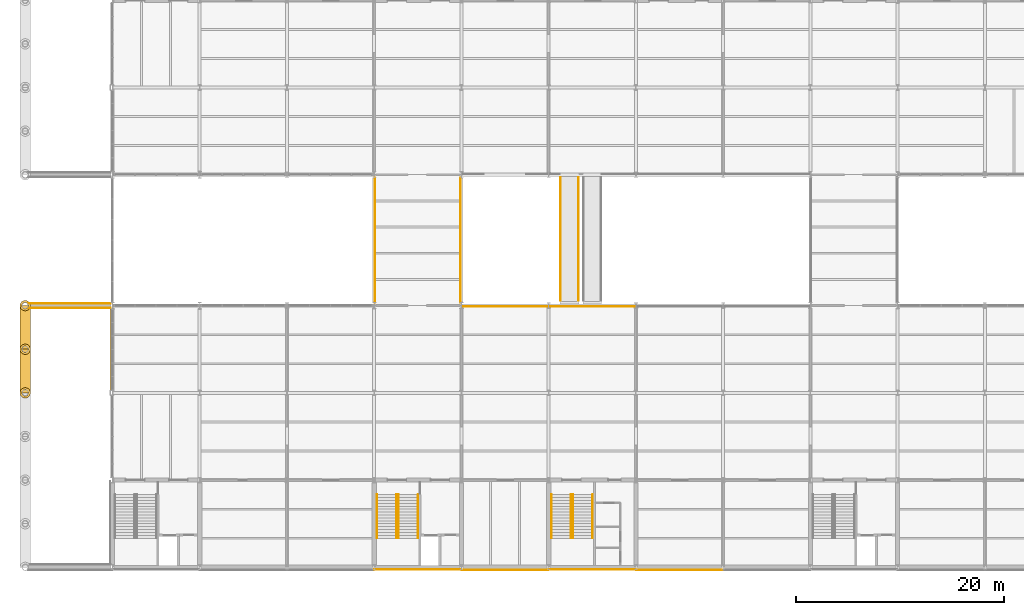
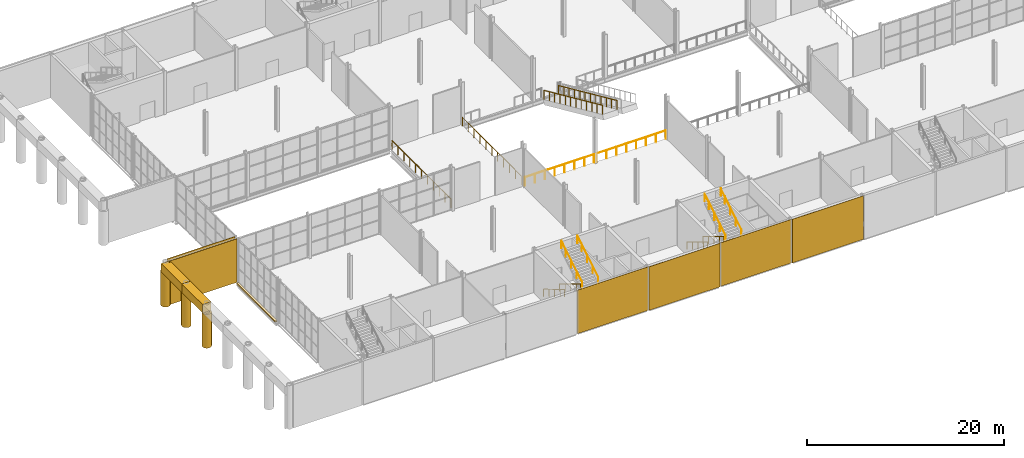
# One storey, part 49 of 64: 14 railings, 12 coverings.
"""IFC4 building model written with IfcOpenShell, lengths in metres."""

from ifc_helpers import new_model, si_unit, direction, frame, origin, origin_2d, place, context, subcontext, project, spatial, polyline, rectangle, circle, outline, extrude, material, layer, layer_set, type_object, element, save


model = new_model("IFC4")

# Units and contexts
model_context = context("Model", 3, precision=1e-05, world=origin(), true_north=direction((0.0, 1.0)))
body_context = subcontext(model_context, "Body", "Model", "MODEL_VIEW")
ifc_project = project(units=[si_unit("LENGTHUNIT", "METRE"), si_unit("AREAUNIT", "SQUARE_METRE"), si_unit("VOLUMEUNIT", "CUBIC_METRE"), si_unit("PLANEANGLEUNIT", "RADIAN"), si_unit("MASSUNIT", "GRAM", prefix="KILO")], contexts=[model_context])

# Site, building, storey
site_placement = place(None, origin())
site = spatial("IfcSite", under=ifc_project, at=site_placement, CompositionType="ELEMENT")
building_placement = place(site_placement, origin())
building = spatial("IfcBuilding", under=site, at=building_placement, Name="Galleria Vessillo Department Store", CompositionType="ELEMENT")
storey_placement = place(building_placement, frame((0.0, 0.0, 6.0)))
storey = spatial("IfcBuildingStorey", under=building, at=storey_placement, Name="L01", CompositionType="ELEMENT", Elevation=6.0)

# Railings
ifc_material_1 = material(Name="Stainless steel tube", Category="steel")
railing_type_1 = type_object("IfcRailingType", Name="Atrium edge guard 1100 mm", PredefinedType="GUARDRAIL", material=ifc_material_1)
railing_1_placement = place(storey_placement, frame((42.152587890625, 25.119873046875, 0.0)))
element("IfcRailing", 1, at=railing_1_placement, inside=storey, type_object=railing_type_1, Name="Atrium edge guard L01-01", PredefinedType="GUARDRAIL", context=body_context, shape_type="SweptSolid", body=[
    extrude(circle(Radius=0.02392578125, at=origin_2d()), frame((0.0, 0.0, 1.076171875), z_axis=(1.0, 0.0, 0.0), x_axis=(0.0, 1.0, 0.0)), (0.0, 0.0, 1.0), 8.094482421875),
    extrude(circle(Radius=0.02099609375, at=origin_2d()), origin(), (0.0, 0.0, 1.0), 1.052001953125),
    extrude(circle(Radius=0.02099609375, at=origin_2d()), frame((1.15625, 0.0, 0.0)), (0.0, 0.0, 1.0), 1.052001953125),
    extrude(circle(Radius=0.02099609375, at=origin_2d()), frame((2.312744140625, 0.0, 0.0)), (0.0, 0.0, 1.0), 1.052001953125),
    extrude(circle(Radius=0.02099609375, at=origin_2d()), frame((3.468994140625, 0.0, 0.0)), (0.0, 0.0, 1.0), 1.052001953125),
    extrude(circle(Radius=0.02099609375, at=origin_2d()), frame((4.62548828125, 0.0, 0.0)), (0.0, 0.0, 1.0), 1.052001953125),
    extrude(circle(Radius=0.02099609375, at=origin_2d()), frame((5.78173828125, 0.0, 0.0)), (0.0, 0.0, 1.0), 1.052001953125),
    extrude(circle(Radius=0.02099609375, at=origin_2d()), frame((6.938232421875, 0.0, 0.0)), (0.0, 0.0, 1.0), 1.052001953125),
    extrude(circle(Radius=0.02099609375, at=origin_2d()), frame((8.094482421875, 0.0, 0.0)), (0.0, 0.0, 1.0), 1.052001953125),
])
railing_2_placement = place(storey_placement, frame((50.552978515625, 25.119873046875, 0.0)))
element("IfcRailing", 2, at=railing_2_placement, inside=storey, type_object=railing_type_1, Name="Atrium edge guard L01-02", PredefinedType="GUARDRAIL", context=body_context, shape_type="SweptSolid", body=[
    extrude(circle(Radius=0.02392578125, at=origin_2d()), frame((0.0, 0.0, 1.076171875), z_axis=(1.0, 0.0, 0.0), x_axis=(0.0, 1.0, 0.0)), (0.0, 0.0, 1.0), 8.093994140625),
    extrude(circle(Radius=0.02099609375, at=origin_2d()), origin(), (0.0, 0.0, 1.0), 1.052001953125),
    extrude(circle(Radius=0.02099609375, at=origin_2d()), frame((1.15625, 0.0, 0.0)), (0.0, 0.0, 1.0), 1.052001953125),
    extrude(circle(Radius=0.02099609375, at=origin_2d()), frame((2.3125, 0.0, 0.0)), (0.0, 0.0, 1.0), 1.052001953125),
    extrude(circle(Radius=0.02099609375, at=origin_2d()), frame((3.46875, 0.0, 0.0)), (0.0, 0.0, 1.0), 1.052001953125),
    extrude(circle(Radius=0.02099609375, at=origin_2d()), frame((4.625244140625, 0.0, 0.0)), (0.0, 0.0, 1.0), 1.052001953125),
    extrude(circle(Radius=0.02099609375, at=origin_2d()), frame((5.781494140625, 0.0, 0.0)), (0.0, 0.0, 1.0), 1.052001953125),
    extrude(circle(Radius=0.02099609375, at=origin_2d()), frame((6.937744140625, 0.0, 0.0)), (0.0, 0.0, 1.0), 1.052001953125),
    extrude(circle(Radius=0.02099609375, at=origin_2d()), frame((8.093994140625, 0.0, 0.0)), (0.0, 0.0, 1.0), 1.052001953125),
])
for number, where, name in (
    (3, (33.68017578125, 25.510009765625, 0.0), "Atrium edge guard L01-12"),
    (4, (41.919921875, 25.510009765625, 0.0), "Atrium edge guard L01-13"),
):
    element("IfcRailing", number, at=place(storey_placement, frame(where)), inside=storey, type_object=railing_type_1, Name=name, PredefinedType="GUARDRAIL", context=body_context, shape_type="SweptSolid", body=[
        extrude(circle(Radius=0.02392578125, at=origin_2d()), frame((0.0, 0.0, 1.076171875), z_axis=(0.0, 1.0, 0.0), x_axis=(-1.0, 0.0, 0.0)), (0.0, 0.0, 1.0), 11.97998046875),
        extrude(circle(Radius=0.02099609375, at=origin_2d()), origin(), (0.0, 0.0, 1.0), 1.052001953125),
        extrude(circle(Radius=0.02099609375, at=origin_2d()), frame((0.0, 1.197998046875, 0.0)), (0.0, 0.0, 1.0), 1.052001953125),
        extrude(circle(Radius=0.02099609375, at=origin_2d()), frame((0.0, 2.39599609375, 0.0)), (0.0, 0.0, 1.0), 1.052001953125),
        extrude(circle(Radius=0.02099609375, at=origin_2d()), frame((0.0, 3.593994140625, 0.0)), (0.0, 0.0, 1.0), 1.052001953125),
        extrude(circle(Radius=0.02099609375, at=origin_2d()), frame((0.0, 4.7919921875, 0.0)), (0.0, 0.0, 1.0), 1.052001953125),
        extrude(circle(Radius=0.02099609375, at=origin_2d()), frame((0.0, 5.989990234375, 0.0)), (0.0, 0.0, 1.0), 1.052001953125),
        extrude(circle(Radius=0.02099609375, at=origin_2d()), frame((0.0, 7.18798828125, 0.0)), (0.0, 0.0, 1.0), 1.052001953125),
        extrude(circle(Radius=0.02099609375, at=origin_2d()), frame((0.0, 8.385986328125, 0.0)), (0.0, 0.0, 1.0), 1.052001953125),
        extrude(circle(Radius=0.02099609375, at=origin_2d()), frame((0.0, 9.583984375, 0.0)), (0.0, 0.0, 1.0), 1.052001953125),
        extrude(circle(Radius=0.02099609375, at=origin_2d()), frame((0.0, 10.781982421875, 0.0)), (0.0, 0.0, 1.0), 1.052001953125),
        extrude(circle(Radius=0.02099609375, at=origin_2d()), frame((0.0, 11.97998046875, 0.0)), (0.0, 0.0, 1.0), 1.052001953125),
    ])
ifc_material_2 = material(Name="Glass laminated 44.2", Category="glass")
railing_type_2 = type_object("IfcRailingType", Name="Escalator balustrade glass 1150 mm", PredefinedType="BALUSTRADE", material=ifc_material_2)
railing_3_placement = place(storey_placement, frame((51.5498046875, 37.558837890625, -0.120849609375)))
element("IfcRailing", 5, at=railing_3_placement, inside=storey, type_object=railing_type_2, Name="Escalator balustrade ES3 W", PredefinedType="BALUSTRADE", context=body_context, shape_type="SweptSolid", body=[
    extrude(circle(Radius=0.02392578125, at=origin_2d()), frame((0.0, 0.0, 1.1259765625), z_axis=(0.0, -0.911723525032, 0.410804349908), x_axis=(1.0, 0.0, 0.0)), (0.0, 0.0, 1.0), 13.0205078125),
    extrude(circle(Radius=0.02099609375, at=origin_2d()), origin(), (0.0, 0.0, 1.0), 1.101806640625),
    extrude(circle(Radius=0.02099609375, at=origin_2d()), frame((0.0, -1.0791015625, 0.486328125)), (0.0, 0.0, 1.0), 1.101806640625),
    extrude(circle(Radius=0.02099609375, at=origin_2d()), frame((0.0, -2.158447265625, 0.972412109375)), (0.0, 0.0, 1.0), 1.101806640625),
    extrude(circle(Radius=0.02099609375, at=origin_2d()), frame((0.0, -3.237548828125, 1.458740234375)), (0.0, 0.0, 1.0), 1.101806640625),
    extrude(circle(Radius=0.02099609375, at=origin_2d()), frame((0.0, -4.316650390625, 1.945068359375)), (0.0, 0.0, 1.0), 1.101806640625),
    extrude(circle(Radius=0.02099609375, at=origin_2d()), frame((0.0, -5.39599609375, 2.431396484375)), (0.0, 0.0, 1.0), 1.101806640625),
    extrude(circle(Radius=0.02099609375, at=origin_2d()), frame((0.0, -6.47509765625, 2.91748046875)), (0.0, 0.0, 1.0), 1.101806640625),
    extrude(circle(Radius=0.02099609375, at=origin_2d()), frame((0.0, -7.554443359375, 3.40380859375)), (0.0, 0.0, 1.0), 1.101806640625),
    extrude(circle(Radius=0.02099609375, at=origin_2d()), frame((0.0, -8.633544921875, 3.89013671875)), (0.0, 0.0, 1.0), 1.101806640625),
    extrude(circle(Radius=0.02099609375, at=origin_2d()), frame((0.0, -9.712646484375, 4.37646484375)), (0.0, 0.0, 1.0), 1.101806640625),
    extrude(circle(Radius=0.02099609375, at=origin_2d()), frame((0.0, -10.7919921875, 4.862548828125)), (0.0, 0.0, 1.0), 1.101806640625),
    extrude(circle(Radius=0.02099609375, at=origin_2d()), frame((0.0, -11.87109375, 5.348876953125)), (0.0, 0.0, 1.0), 1.101806640625),
])
railing_4_placement = place(storey_placement, frame((53.25, 37.558837890625, -0.120849609375)))
element("IfcRailing", 6, at=railing_4_placement, inside=storey, type_object=railing_type_2, Name="Escalator balustrade ES3 E", PredefinedType="BALUSTRADE", context=body_context, shape_type="SweptSolid", body=[
    extrude(circle(Radius=0.02392578125, at=origin_2d()), frame((0.0, 0.0, 1.1259765625), z_axis=(0.0, -0.911723525032, 0.410804349908), x_axis=(1.0, 0.0, 0.0)), (0.0, 0.0, 1.0), 13.0205078125),
    extrude(circle(Radius=0.02099609375, at=origin_2d()), origin(), (0.0, 0.0, 1.0), 1.101806640625),
    extrude(circle(Radius=0.02099609375, at=origin_2d()), frame((0.0, -1.0791015625, 0.486328125)), (0.0, 0.0, 1.0), 1.101806640625),
    extrude(circle(Radius=0.02099609375, at=origin_2d()), frame((0.0, -2.158447265625, 0.972412109375)), (0.0, 0.0, 1.0), 1.101806640625),
    extrude(circle(Radius=0.02099609375, at=origin_2d()), frame((0.0, -3.237548828125, 1.458740234375)), (0.0, 0.0, 1.0), 1.101806640625),
    extrude(circle(Radius=0.02099609375, at=origin_2d()), frame((0.0, -4.316650390625, 1.945068359375)), (0.0, 0.0, 1.0), 1.101806640625),
    extrude(circle(Radius=0.02099609375, at=origin_2d()), frame((0.0, -5.39599609375, 2.431396484375)), (0.0, 0.0, 1.0), 1.101806640625),
    extrude(circle(Radius=0.02099609375, at=origin_2d()), frame((0.0, -6.47509765625, 2.91748046875)), (0.0, 0.0, 1.0), 1.101806640625),
    extrude(circle(Radius=0.02099609375, at=origin_2d()), frame((0.0, -7.554443359375, 3.40380859375)), (0.0, 0.0, 1.0), 1.101806640625),
    extrude(circle(Radius=0.02099609375, at=origin_2d()), frame((0.0, -8.633544921875, 3.89013671875)), (0.0, 0.0, 1.0), 1.101806640625),
    extrude(circle(Radius=0.02099609375, at=origin_2d()), frame((0.0, -9.712646484375, 4.37646484375)), (0.0, 0.0, 1.0), 1.101806640625),
    extrude(circle(Radius=0.02099609375, at=origin_2d()), frame((0.0, -10.7919921875, 4.862548828125)), (0.0, 0.0, 1.0), 1.101806640625),
    extrude(circle(Radius=0.02099609375, at=origin_2d()), frame((0.0, -11.87109375, 5.348876953125)), (0.0, 0.0, 1.0), 1.101806640625),
])

# Coverings
ifc_material_3 = material(Name="Lime plaster (intonaco) ochre")
ifc_layer_1 = layer(ifc_material_3, 0.030029296875)
ifc_layer_set_1 = layer_set([ifc_layer_1], Name="Lime plaster (intonaco) ochre")
covering_type_1 = type_object("IfcCoveringType", Name="Lime plaster render 30 mm", PredefinedType="CLADDING", material=ifc_layer_set_1)
covering_1_placement = place(storey_placement, frame((37.800048828125, -0.215087890625, 0.0), z_axis=(0.0, 0.0, 1.0), x_axis=(1.0, 0.0, 0.0)))
element("IfcCovering", 7, at=covering_1_placement, inside=storey, type_object=covering_type_1, Name="Wall cladding S-CW-PC-SM-PARTY-L01", PredefinedType="CLADDING", context=body_context, shape_type="SweptSolid", body=[
    extrude(rectangle(XDim=8.33984375, YDim=0.030029296875, at=origin_2d()), origin(), (0.0, 0.0, 1.0), 5.39990234375),
])
for number, where, z_axis, x_axis, name in (
    (8, (46.199951171875, -0.264892578125, 0.0), (0.0, 0.0, 1.0), (1.0, 0.0, 0.0), "Wall cladding S-PS-L01-04"),
    (9, (54.599853515625, -0.215087890625, 0.0), (0.0, 0.0, 1.0), (1.0, 0.0, 0.0), "Wall cladding S-CW-PC-SC-PARTY-L01"),
    (10, (63.0, -0.264892578125, 0.0), (0.0, 0.0, 1.0), (1.0, 0.0, 0.0), "Wall cladding S-PS-L01-05"),
):
    element("IfcCovering", number, at=place(storey_placement, frame(where, z_axis=z_axis, x_axis=x_axis)), inside=storey, type_object=covering_type_1, Name=name, PredefinedType="CLADDING", context=body_context, shape_type="SweptSolid", body=[
        extrude(rectangle(XDim=8.340087890625, YDim=0.030029296875, at=origin_2d()), origin(), (0.0, 0.0, 1.0), 5.39990234375),
    ])
ifc_material_4 = material(Name="Botticino limestone ashlar", Category="masonry")
ifc_layer_2 = layer(ifc_material_4, 0.195068359375)
ifc_layer_set_2 = layer_set([ifc_layer_2], Name="Botticino limestone ashlar")
covering_type_2 = type_object("IfcCoveringType", Name="Limestone column drum cladding 1000 mm", PredefinedType="CLADDING", material=ifc_layer_set_2)
covering_2_placement = place(storey_placement, origin())
element("IfcCovering", 11, at=covering_2_placement, inside=storey, type_object=covering_type_2, Name="Column drum cladding L01 y=16.8", PredefinedType="CLADDING", context=body_context, shape_type="SweptSolid", body=[
    extrude(outline(polyline([(0.5, 16.800048828125), (0.49560546875, 16.865234375), (0.48291015625, 16.929443359375), (0.4619140625, 16.991455078125), (0.43310546875, 17.050048828125), (0.396728515625, 17.1044921875), (0.353515625, 17.153564453125), (0.304443359375, 17.19677734375), (0.25, 17.233154296875), (0.19140625, 17.261962890625), (0.12939453125, 17.282958984375), (0.065185546875, 17.295654296875), (0.0, 17.300048828125), (-0.065185546875, 17.295654296875), (-0.12939453125, 17.282958984375), (-0.19140625, 17.261962890625), (-0.25, 17.233154296875), (-0.304443359375, 17.19677734375), (-0.353515625, 17.153564453125), (-0.396728515625, 17.1044921875), (-0.43310546875, 17.050048828125), (-0.4619140625, 16.991455078125), (-0.48291015625, 16.929443359375), (-0.49560546875, 16.865234375), (-0.5, 16.800048828125), (-0.49560546875, 16.73486328125), (-0.48291015625, 16.670654296875), (-0.4619140625, 16.608642578125), (-0.43310546875, 16.550048828125), (-0.396728515625, 16.49560546875), (-0.353515625, 16.446533203125), (-0.304443359375, 16.4033203125), (-0.25, 16.366943359375), (-0.19140625, 16.338134765625), (-0.12939453125, 16.317138671875), (-0.065185546875, 16.304443359375), (0.0, 16.300048828125), (0.065185546875, 16.304443359375), (0.12939453125, 16.317138671875), (0.19140625, 16.338134765625), (0.25, 16.366943359375), (0.304443359375, 16.4033203125), (0.353515625, 16.446533203125), (0.396728515625, 16.49560546875), (0.43310546875, 16.550048828125), (0.4619140625, 16.608642578125), (0.48291015625, 16.670654296875), (0.49560546875, 16.73486328125), (0.5, 16.800048828125)]), holes=[polyline([(0.3056640625, 16.800048828125), (0.302978515625, 16.83984375), (0.295166015625, 16.879150390625), (0.282470703125, 16.9169921875), (0.2646484375, 16.952880859375), (0.242431640625, 16.986083984375), (0.216064453125, 17.01611328125), (0.18603515625, 17.04248046875), (0.15283203125, 17.064697265625), (0.116943359375, 17.08251953125), (0.0791015625, 17.09521484375), (0.039794921875, 17.10302734375), (0.0, 17.105712890625), (-0.039794921875, 17.10302734375), (-0.0791015625, 17.09521484375), (-0.116943359375, 17.08251953125), (-0.15283203125, 17.064697265625), (-0.18603515625, 17.04248046875), (-0.216064453125, 17.01611328125), (-0.242431640625, 16.986083984375), (-0.2646484375, 16.952880859375), (-0.282470703125, 16.9169921875), (-0.295166015625, 16.879150390625), (-0.302978515625, 16.83984375), (-0.3056640625, 16.800048828125), (-0.302978515625, 16.76025390625), (-0.295166015625, 16.720947265625), (-0.282470703125, 16.68310546875), (-0.2646484375, 16.647216796875), (-0.242431640625, 16.614013671875), (-0.216064453125, 16.583984375), (-0.18603515625, 16.5576171875), (-0.15283203125, 16.535400390625), (-0.116943359375, 16.517578125), (-0.0791015625, 16.5048828125), (-0.039794921875, 16.4970703125), (0.0, 16.494384765625), (0.039794921875, 16.4970703125), (0.0791015625, 16.5048828125), (0.116943359375, 16.517578125), (0.15283203125, 16.535400390625), (0.18603515625, 16.5576171875), (0.216064453125, 16.583984375), (0.242431640625, 16.614013671875), (0.2646484375, 16.647216796875), (0.282470703125, 16.68310546875), (0.295166015625, 16.720947265625), (0.302978515625, 16.76025390625), (0.3056640625, 16.800048828125)])]), origin(), (0.0, 0.0, 1.0), 4.199951171875),
])
covering_3_placement = place(storey_placement, origin())
element("IfcCovering", 12, at=covering_3_placement, inside=storey, type_object=covering_type_2, Name="Column drum cladding L01 y=21.0", PredefinedType="CLADDING", context=body_context, shape_type="SweptSolid", body=[
    extrude(outline(polyline([(0.5, 21.0), (0.49560546875, 21.065185546875), (0.48291015625, 21.12939453125), (0.4619140625, 21.19140625), (0.43310546875, 21.25), (0.396728515625, 21.304443359375), (0.353515625, 21.353515625), (0.304443359375, 21.396728515625), (0.25, 21.43310546875), (0.19140625, 21.4619140625), (0.12939453125, 21.48291015625), (0.065185546875, 21.49560546875), (0.0, 21.5), (-0.065185546875, 21.49560546875), (-0.12939453125, 21.48291015625), (-0.19140625, 21.4619140625), (-0.25, 21.43310546875), (-0.304443359375, 21.396728515625), (-0.353515625, 21.353515625), (-0.396728515625, 21.304443359375), (-0.43310546875, 21.25), (-0.4619140625, 21.19140625), (-0.48291015625, 21.12939453125), (-0.49560546875, 21.065185546875), (-0.5, 21.0), (-0.49560546875, 20.934814453125), (-0.48291015625, 20.87060546875), (-0.4619140625, 20.80859375), (-0.43310546875, 20.75), (-0.396728515625, 20.695556640625), (-0.353515625, 20.646484375), (-0.304443359375, 20.603271484375), (-0.25, 20.56689453125), (-0.19140625, 20.5380859375), (-0.12939453125, 20.51708984375), (-0.065185546875, 20.50439453125), (0.0, 20.5), (0.065185546875, 20.50439453125), (0.12939453125, 20.51708984375), (0.19140625, 20.5380859375), (0.25, 20.56689453125), (0.304443359375, 20.603271484375), (0.353515625, 20.646484375), (0.396728515625, 20.695556640625), (0.43310546875, 20.75), (0.4619140625, 20.80859375), (0.48291015625, 20.87060546875), (0.49560546875, 20.934814453125), (0.5, 21.0)]), holes=[polyline([(0.3056640625, 21.0), (0.302978515625, 21.039794921875), (0.295166015625, 21.0791015625), (0.282470703125, 21.116943359375), (0.2646484375, 21.15283203125), (0.242431640625, 21.18603515625), (0.216064453125, 21.216064453125), (0.18603515625, 21.242431640625), (0.15283203125, 21.2646484375), (0.116943359375, 21.282470703125), (0.0791015625, 21.295166015625), (0.039794921875, 21.302978515625), (0.0, 21.3056640625), (-0.039794921875, 21.302978515625), (-0.0791015625, 21.295166015625), (-0.116943359375, 21.282470703125), (-0.15283203125, 21.2646484375), (-0.18603515625, 21.242431640625), (-0.216064453125, 21.216064453125), (-0.242431640625, 21.18603515625), (-0.2646484375, 21.15283203125), (-0.282470703125, 21.116943359375), (-0.295166015625, 21.0791015625), (-0.302978515625, 21.039794921875), (-0.3056640625, 21.0), (-0.302978515625, 20.960205078125), (-0.295166015625, 20.9208984375), (-0.282470703125, 20.883056640625), (-0.2646484375, 20.84716796875), (-0.242431640625, 20.81396484375), (-0.216064453125, 20.783935546875), (-0.18603515625, 20.757568359375), (-0.15283203125, 20.7353515625), (-0.116943359375, 20.717529296875), (-0.0791015625, 20.704833984375), (-0.039794921875, 20.697021484375), (0.0, 20.6943359375), (0.039794921875, 20.697021484375), (0.0791015625, 20.704833984375), (0.116943359375, 20.717529296875), (0.15283203125, 20.7353515625), (0.18603515625, 20.757568359375), (0.216064453125, 20.783935546875), (0.242431640625, 20.81396484375), (0.2646484375, 20.84716796875), (0.282470703125, 20.883056640625), (0.295166015625, 20.9208984375), (0.302978515625, 20.960205078125), (0.3056640625, 21.0)])]), origin(), (0.0, 0.0, 1.0), 4.199951171875),
])
covering_4_placement = place(storey_placement, origin())
element("IfcCovering", 13, at=covering_4_placement, inside=storey, type_object=covering_type_2, Name="Column drum cladding L01 y=25.2", PredefinedType="CLADDING", context=body_context, shape_type="SweptSolid", body=[
    extrude(outline(polyline([(0.5, 25.199951171875), (0.49560546875, 25.26513671875), (0.48291015625, 25.329345703125), (0.4619140625, 25.391357421875), (0.43310546875, 25.449951171875), (0.396728515625, 25.50439453125), (0.353515625, 25.553466796875), (0.304443359375, 25.5966796875), (0.25, 25.633056640625), (0.19140625, 25.661865234375), (0.12939453125, 25.682861328125), (0.065185546875, 25.695556640625), (0.0, 25.699951171875), (-0.065185546875, 25.695556640625), (-0.12939453125, 25.682861328125), (-0.19140625, 25.661865234375), (-0.25, 25.633056640625), (-0.304443359375, 25.5966796875), (-0.353515625, 25.553466796875), (-0.396728515625, 25.50439453125), (-0.43310546875, 25.449951171875), (-0.4619140625, 25.391357421875), (-0.48291015625, 25.329345703125), (-0.49560546875, 25.26513671875), (-0.5, 25.199951171875), (-0.49560546875, 25.134765625), (-0.48291015625, 25.070556640625), (-0.4619140625, 25.008544921875), (-0.43310546875, 24.949951171875), (-0.396728515625, 24.8955078125), (-0.353515625, 24.846435546875), (-0.304443359375, 24.80322265625), (-0.25, 24.766845703125), (-0.19140625, 24.738037109375), (-0.12939453125, 24.717041015625), (-0.065185546875, 24.704345703125), (0.0, 24.699951171875), (0.065185546875, 24.704345703125), (0.12939453125, 24.717041015625), (0.19140625, 24.738037109375), (0.25, 24.766845703125), (0.304443359375, 24.80322265625), (0.353515625, 24.846435546875), (0.396728515625, 24.8955078125), (0.43310546875, 24.949951171875), (0.4619140625, 25.008544921875), (0.48291015625, 25.070556640625), (0.49560546875, 25.134765625), (0.5, 25.199951171875)]), holes=[polyline([(0.3056640625, 25.199951171875), (0.302978515625, 25.23974609375), (0.295166015625, 25.279052734375), (0.282470703125, 25.31689453125), (0.2646484375, 25.352783203125), (0.242431640625, 25.385986328125), (0.216064453125, 25.416015625), (0.18603515625, 25.4423828125), (0.15283203125, 25.464599609375), (0.116943359375, 25.482421875), (0.0791015625, 25.4951171875), (0.039794921875, 25.5029296875), (0.0, 25.505615234375), (-0.039794921875, 25.5029296875), (-0.0791015625, 25.4951171875), (-0.116943359375, 25.482421875), (-0.15283203125, 25.464599609375), (-0.18603515625, 25.4423828125), (-0.216064453125, 25.416015625), (-0.242431640625, 25.385986328125), (-0.2646484375, 25.352783203125), (-0.282470703125, 25.31689453125), (-0.295166015625, 25.279052734375), (-0.302978515625, 25.23974609375), (-0.3056640625, 25.199951171875), (-0.302978515625, 25.16015625), (-0.295166015625, 25.120849609375), (-0.282470703125, 25.0830078125), (-0.2646484375, 25.047119140625), (-0.242431640625, 25.013916015625), (-0.216064453125, 24.98388671875), (-0.18603515625, 24.95751953125), (-0.15283203125, 24.935302734375), (-0.116943359375, 24.91748046875), (-0.0791015625, 24.90478515625), (-0.039794921875, 24.89697265625), (0.0, 24.894287109375), (0.039794921875, 24.89697265625), (0.0791015625, 24.90478515625), (0.116943359375, 24.91748046875), (0.15283203125, 24.935302734375), (0.18603515625, 24.95751953125), (0.216064453125, 24.98388671875), (0.242431640625, 25.013916015625), (0.2646484375, 25.047119140625), (0.282470703125, 25.0830078125), (0.295166015625, 25.120849609375), (0.302978515625, 25.16015625), (0.3056640625, 25.199951171875)])]), origin(), (0.0, 0.0, 1.0), 4.199951171875),
])
ifc_material_5 = material(Name="Botticino limestone ashlar", Category="masonry")
ifc_layer_3 = layer(ifc_material_5, 1.0)
ifc_layer_set_3 = layer_set([ifc_layer_3], Name="Botticino limestone ashlar")
covering_type_3 = type_object("IfcCoveringType", Name="Limestone entablature 1000 x 1050", PredefinedType="MOLDING", material=ifc_layer_set_3)
for number, where, z_axis, x_axis, name in (
    (14, (0.0, 18.89990234375, 4.2001953125), (0.0, 0.0, 1.0), (1.0, 0.0, 0.0), "Colonnade entablature y=16.8-21.0"),
    (15, (0.0, 23.10009765625, 4.2001953125), (0.0, 0.0, 1.0), (1.0, 0.0, 0.0), "Colonnade entablature y=21.0-25.2"),
):
    element("IfcCovering", number, at=place(storey_placement, frame(where, z_axis=z_axis, x_axis=x_axis)), inside=storey, type_object=covering_type_3, Name=name, PredefinedType="MOLDING", context=body_context, shape_type="SweptSolid", body=[
        extrude(rectangle(XDim=1.0, YDim=4.199951171875, at=origin_2d()), origin(), (0.0, 0.0, 1.0), 1.050048828125),
    ])
ifc_material_6 = material(Name="Botticino limestone ashlar", Category="masonry")
ifc_layer_4 = layer(ifc_material_6, 0.050048828125)
ifc_layer_set_4 = layer_set([ifc_layer_4], Name="Botticino limestone ashlar")
covering_type_4 = type_object("IfcCoveringType", Name="Limestone portal reveal cladding 50 mm", PredefinedType="CLADDING", material=ifc_layer_set_4)
for number, where, z_axis, x_axis, name in (
    (16, (4.276123046875, 24.974853515625, 0.0), (0.0, 0.0, 1.0), (1.0, 0.0, 0.0), "Portal reveal cladding PW-S-L01-01 a"),
    (17, (4.276123046875, 25.425048828125, 0.0), (0.0, 0.0, 1.0), (1.0, 0.0, 0.0), "Portal reveal cladding PW-S-L01-01 b"),
):
    element("IfcCovering", number, at=place(storey_placement, frame(where, z_axis=z_axis, x_axis=x_axis)), inside=storey, type_object=covering_type_4, Name=name, PredefinedType="CLADDING", context=body_context, shape_type="SweptSolid", body=[
        extrude(rectangle(XDim=7.9423828125, YDim=0.050048828125, at=origin_2d()), origin(), (0.0, 0.0, 1.0), 5.39990234375),
    ])
ifc_material_7 = material(Name="Botticino limestone ashlar", Category="masonry")
ifc_layer_5 = layer(ifc_material_7, 0.14990234375)
ifc_layer_set_5 = layer_set([ifc_layer_5], Name="Botticino limestone ashlar")
covering_type_5 = type_object("IfcCoveringType", Name="Limestone slab-edge fascia 150 mm", PredefinedType="CLADDING", material=ifc_layer_set_5)
covering_5_placement = place(storey_placement, frame((8.27490234375, 20.9580078125, -0.14990234375), z_axis=(0.0, 0.0, 1.0), x_axis=(1.0, 0.0, 0.0)))
element("IfcCovering", 18, at=covering_5_placement, inside=storey, type_object=covering_type_5, Name="Slab-edge fascia LB-L00-02", PredefinedType="CLADDING", context=body_context, shape_type="SweptSolid", body=[
    extrude(rectangle(XDim=0.25, YDim=7.81591796875, at=origin_2d()), origin(), (0.0, 0.0, 1.0), 0.14990234375),
])

# Railings
ifc_material_8 = material(Name="Stainless steel tube", Category="steel")
railing_type_3 = type_object("IfcRailingType", Name="Stair handrail steel tube 48 mm", PredefinedType="HANDRAIL", material=ifc_material_8)
for number, where, name in (
    (19, (35.739990234375, 7.0, 0.168701171875), "Handrail ST3 L01 flight 1A"),
    (20, (33.860107421875, 7.0, 0.168701171875), "Handrail ST3 L01 flight 1B"),
):
    element("IfcRailing", number, at=place(storey_placement, frame(where)), inside=storey, type_object=railing_type_3, Name=name, PredefinedType="HANDRAIL", context=body_context, shape_type="SweptSolid", body=[
        extrude(circle(Radius=0.02392578125, at=origin_2d()), frame((0.0, 0.0, 0.89599609375), z_axis=(0.0, -0.856486514401, 0.516169401116), x_axis=(1.0, 0.0, 0.0)), (0.0, 0.0, 1.0), 1.307861328125),
        extrude(circle(Radius=0.02392578125, at=origin_2d()), frame((0.0, -1.1201171875, 1.57080078125), z_axis=(0.0, -0.856436765236, 0.516251941548), x_axis=(1.0, 0.0, 0.0)), (0.0, 0.0, 1.0), 1.3076171875),
        extrude(circle(Radius=0.02392578125, at=origin_2d()), frame((0.0, -2.239990234375, 2.24609375), z_axis=(0.0, -0.856486514401, 0.516169401116), x_axis=(1.0, 0.0, 0.0)), (0.0, 0.0, 1.0), 1.307861328125),
        extrude(circle(Radius=0.02392578125, at=origin_2d()), frame((0.0, -3.360107421875, 2.9208984375), z_axis=(0.0, -0.856502732318, 0.516142489563), x_axis=(1.0, 0.0, 0.0)), (0.0, 0.0, 1.0), 0.98046875),
        extrude(circle(Radius=0.02099609375, at=origin_2d()), origin(), (0.0, 0.0, 1.0), 0.871826171875),
        extrude(circle(Radius=0.02099609375, at=origin_2d()), frame((0.0, -1.1201171875, 0.675048828125)), (0.0, 0.0, 1.0), 0.871826171875),
        extrude(circle(Radius=0.02099609375, at=origin_2d()), frame((0.0, -2.239990234375, 1.35009765625)), (0.0, 0.0, 1.0), 0.871826171875),
        extrude(circle(Radius=0.02099609375, at=origin_2d()), frame((0.0, -3.360107421875, 2.025146484375)), (0.0, 0.0, 1.0), 0.871826171875),
        extrude(circle(Radius=0.02099609375, at=origin_2d()), frame((0.0, -4.199951171875, 2.53125)), (0.0, 0.0, 1.0), 0.871826171875),
    ])
for number, where, name in (
    (21, (35.9599609375, 2.800048828125, 2.86865234375), "Handrail ST3 L01 flight 2A"),
    (22, (37.83984375, 2.800048828125, 2.86865234375), "Handrail ST3 L01 flight 2B"),
):
    element("IfcRailing", number, at=place(storey_placement, frame(where)), inside=storey, type_object=railing_type_3, Name=name, PredefinedType="HANDRAIL", context=body_context, shape_type="SweptSolid", body=[
        extrude(circle(Radius=0.02392578125, at=origin_2d()), frame((0.0, 0.0, 0.89599609375), z_axis=(0.0, 0.856486514401, 0.516169401116), x_axis=(-1.0, 0.0, 0.0)), (0.0, 0.0, 1.0), 1.307861328125),
        extrude(circle(Radius=0.02392578125, at=origin_2d()), frame((0.0, 1.1201171875, 1.57080078125), z_axis=(0.0, 0.856436765236, 0.516251941548), x_axis=(-1.0, 0.0, 0.0)), (0.0, 0.0, 1.0), 1.3076171875),
        extrude(circle(Radius=0.02392578125, at=origin_2d()), frame((0.0, 2.239990234375, 2.24609375), z_axis=(0.0, 0.856486514401, 0.516169401116), x_axis=(-1.0, 0.0, 0.0)), (0.0, 0.0, 1.0), 1.307861328125),
        extrude(circle(Radius=0.02392578125, at=origin_2d()), frame((0.0, 3.360107421875, 2.9208984375), z_axis=(0.0, 0.856502732318, 0.516142489563), x_axis=(-1.0, 0.0, 0.0)), (0.0, 0.0, 1.0), 0.98046875),
        extrude(circle(Radius=0.02099609375, at=origin_2d()), origin(), (0.0, 0.0, 1.0), 0.871826171875),
        extrude(circle(Radius=0.02099609375, at=origin_2d()), frame((0.0, 1.1201171875, 0.675048828125)), (0.0, 0.0, 1.0), 0.871826171875),
        extrude(circle(Radius=0.02099609375, at=origin_2d()), frame((0.0, 2.239990234375, 1.35009765625)), (0.0, 0.0, 1.0), 0.871826171875),
        extrude(circle(Radius=0.02099609375, at=origin_2d()), frame((0.0, 3.360107421875, 2.025146484375)), (0.0, 0.0, 1.0), 0.871826171875),
        extrude(circle(Radius=0.02099609375, at=origin_2d()), frame((0.0, 4.199951171875, 2.53125)), (0.0, 0.0, 1.0), 0.871826171875),
    ])
for number, where, name in (
    (23, (52.5400390625, 7.0, 0.168701171875), "Handrail ST10 L01 flight 1A"),
    (24, (50.66015625, 7.0, 0.168701171875), "Handrail ST10 L01 flight 1B"),
):
    element("IfcRailing", number, at=place(storey_placement, frame(where)), inside=storey, type_object=railing_type_3, Name=name, PredefinedType="HANDRAIL", context=body_context, shape_type="SweptSolid", body=[
        extrude(circle(Radius=0.02392578125, at=origin_2d()), frame((0.0, 0.0, 0.89599609375), z_axis=(0.0, -0.856486514401, 0.516169401116), x_axis=(1.0, 0.0, 0.0)), (0.0, 0.0, 1.0), 1.307861328125),
        extrude(circle(Radius=0.02392578125, at=origin_2d()), frame((0.0, -1.1201171875, 1.57080078125), z_axis=(0.0, -0.856436765236, 0.516251941548), x_axis=(1.0, 0.0, 0.0)), (0.0, 0.0, 1.0), 1.3076171875),
        extrude(circle(Radius=0.02392578125, at=origin_2d()), frame((0.0, -2.239990234375, 2.24609375), z_axis=(0.0, -0.856486514401, 0.516169401116), x_axis=(1.0, 0.0, 0.0)), (0.0, 0.0, 1.0), 1.307861328125),
        extrude(circle(Radius=0.02392578125, at=origin_2d()), frame((0.0, -3.360107421875, 2.9208984375), z_axis=(0.0, -0.856502732318, 0.516142489563), x_axis=(1.0, 0.0, 0.0)), (0.0, 0.0, 1.0), 0.98046875),
        extrude(circle(Radius=0.02099609375, at=origin_2d()), origin(), (0.0, 0.0, 1.0), 0.871826171875),
        extrude(circle(Radius=0.02099609375, at=origin_2d()), frame((0.0, -1.1201171875, 0.675048828125)), (0.0, 0.0, 1.0), 0.871826171875),
        extrude(circle(Radius=0.02099609375, at=origin_2d()), frame((0.0, -2.239990234375, 1.35009765625)), (0.0, 0.0, 1.0), 0.871826171875),
        extrude(circle(Radius=0.02099609375, at=origin_2d()), frame((0.0, -3.360107421875, 2.025146484375)), (0.0, 0.0, 1.0), 0.871826171875),
        extrude(circle(Radius=0.02099609375, at=origin_2d()), frame((0.0, -4.199951171875, 2.53125)), (0.0, 0.0, 1.0), 0.871826171875),
    ])
for number, where, name in (
    (25, (52.760009765625, 2.800048828125, 2.86865234375), "Handrail ST10 L01 flight 2A"),
    (26, (54.639892578125, 2.800048828125, 2.86865234375), "Handrail ST10 L01 flight 2B"),
):
    element("IfcRailing", number, at=place(storey_placement, frame(where)), inside=storey, type_object=railing_type_3, Name=name, PredefinedType="HANDRAIL", context=body_context, shape_type="SweptSolid", body=[
        extrude(circle(Radius=0.02392578125, at=origin_2d()), frame((0.0, 0.0, 0.89599609375), z_axis=(0.0, 0.856486514401, 0.516169401116), x_axis=(-1.0, 0.0, 0.0)), (0.0, 0.0, 1.0), 1.307861328125),
        extrude(circle(Radius=0.02392578125, at=origin_2d()), frame((0.0, 1.1201171875, 1.57080078125), z_axis=(0.0, 0.856436765236, 0.516251941548), x_axis=(-1.0, 0.0, 0.0)), (0.0, 0.0, 1.0), 1.3076171875),
        extrude(circle(Radius=0.02392578125, at=origin_2d()), frame((0.0, 2.239990234375, 2.24609375), z_axis=(0.0, 0.856486514401, 0.516169401116), x_axis=(-1.0, 0.0, 0.0)), (0.0, 0.0, 1.0), 1.307861328125),
        extrude(circle(Radius=0.02392578125, at=origin_2d()), frame((0.0, 3.360107421875, 2.9208984375), z_axis=(0.0, 0.856502732318, 0.516142489563), x_axis=(-1.0, 0.0, 0.0)), (0.0, 0.0, 1.0), 0.98046875),
        extrude(circle(Radius=0.02099609375, at=origin_2d()), origin(), (0.0, 0.0, 1.0), 0.871826171875),
        extrude(circle(Radius=0.02099609375, at=origin_2d()), frame((0.0, 1.1201171875, 0.675048828125)), (0.0, 0.0, 1.0), 0.871826171875),
        extrude(circle(Radius=0.02099609375, at=origin_2d()), frame((0.0, 2.239990234375, 1.35009765625)), (0.0, 0.0, 1.0), 0.871826171875),
        extrude(circle(Radius=0.02099609375, at=origin_2d()), frame((0.0, 3.360107421875, 2.025146484375)), (0.0, 0.0, 1.0), 0.871826171875),
        extrude(circle(Radius=0.02099609375, at=origin_2d()), frame((0.0, 4.199951171875, 2.53125)), (0.0, 0.0, 1.0), 0.871826171875),
    ])

save(model, "model.ifc")
